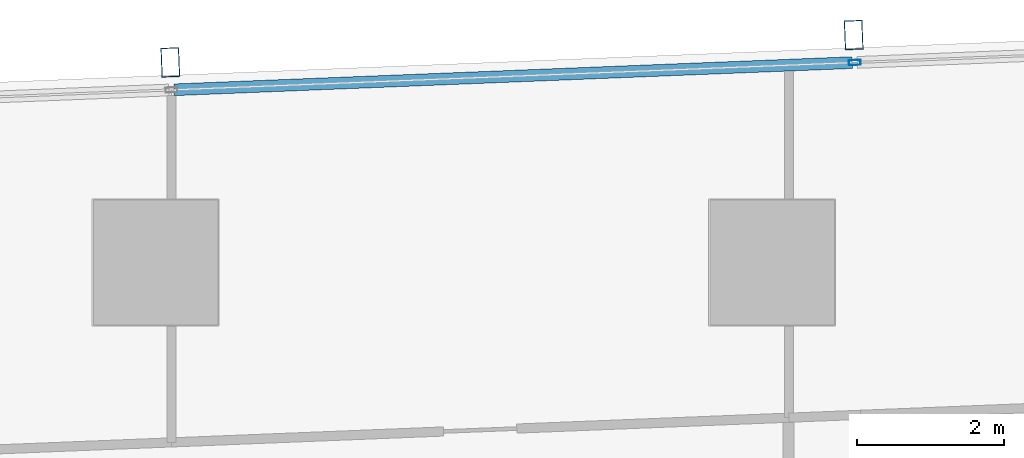
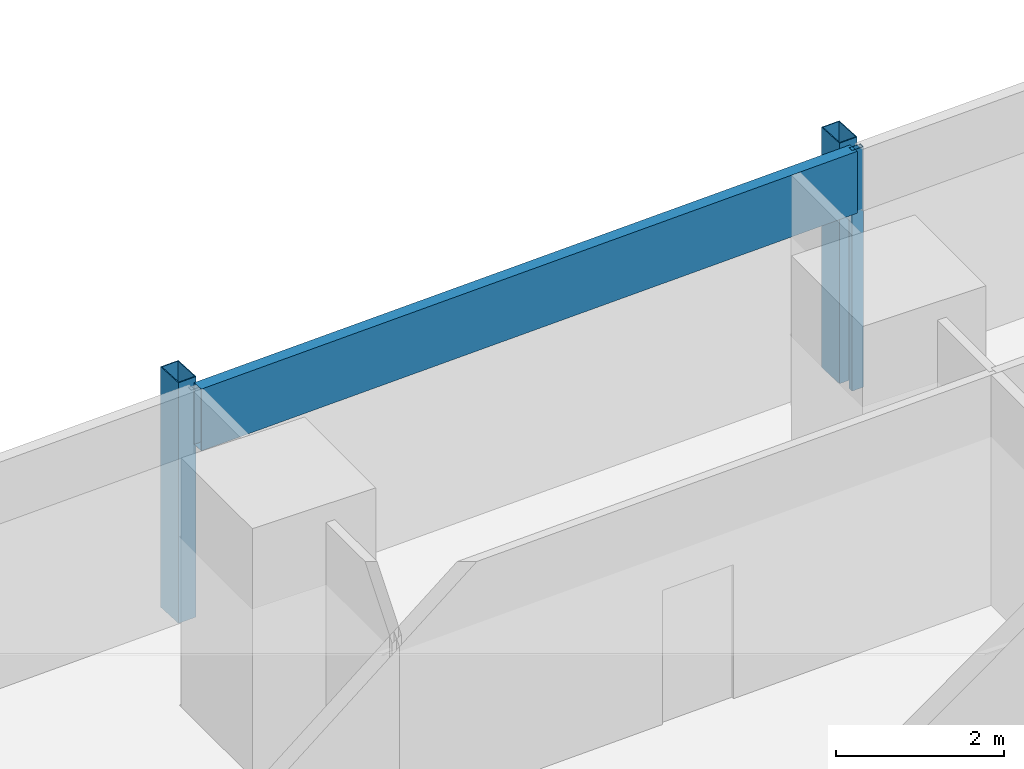
# One storey, part 17 of 40: 4 members, 1 element without a shape of its own.
"""IFC4 building model written with IfcOpenShell, lengths in metres."""

from ifc_helpers import new_model, si_unit, direction, frame, origin, origin_2d, place, context, subcontext, project, spatial, hollow_rectangle, extrude, material, material_profile, profile_set, type_object, element, aggregate, save


model = new_model("IFC4")

# Units and contexts
model_context = context("Model", 3, precision=1e-05, world=origin(), true_north=direction((0.0, 1.0)))
body_context = subcontext(model_context, "Body", "Model", "MODEL_VIEW")
ifc_project = project(units=[si_unit("LENGTHUNIT", "METRE"), si_unit("AREAUNIT", "SQUARE_METRE"), si_unit("VOLUMEUNIT", "CUBIC_METRE"), si_unit("PLANEANGLEUNIT", "RADIAN"), si_unit("MASSUNIT", "GRAM", prefix="KILO")], contexts=[model_context])

# Site, building, storey
site_placement = place(None, origin())
site = spatial("IfcSite", under=ifc_project, at=site_placement, CompositionType="ELEMENT")
building_placement = place(site_placement, origin())
building = spatial("IfcBuilding", under=site, at=building_placement, Name="Rekha Terrace Tower", CompositionType="ELEMENT")
storey_placement = place(building_placement, frame((0.0, 0.0, 117.800048828125)))
storey = spatial("IfcBuildingStorey", under=building, at=storey_placement, Name="L29", CompositionType="ELEMENT", Elevation=117.800048828125)

# Curtain wall, members
ifc_material_1 = material(Name="Aluminium framing", Category="aluminium")
curtain_wall_type = type_object("IfcCurtainWallType", Name="CW3 north unitised glazing", PredefinedType="USERDEFINED", material=ifc_material_1)
curtain_wall_placement = place(storey_placement, origin())
curtain_wall = element("IfcCurtainWall", 1, at=curtain_wall_placement, inside=storey, type_object=curtain_wall_type, Name="CW3 unitised curtain wall", ObjectType="UNITISED CURTAIN WALL", PredefinedType="USERDEFINED")
ifc_material_2 = material(Name="Steel S355 with fluorocarbon finish", Category="steel")
ifc_material_profile_1 = material_profile(ifc_material_2, hollow_rectangle(XDim=0.25, YDim=0.39990234375, WallThickness=0.012451171875, at=origin_2d()), Name="RHS400x250x12.5")
ifc_profile_set_1 = profile_set([ifc_material_profile_1], Name="Steel S355 with fluorocarbon finish")
member_type_1 = type_object("IfcMemberType", Name="BL1 facade blade RHS 400 x 250", PredefinedType="USERDEFINED", material=ifc_profile_set_1)
member_1_placement = place(storey_placement, frame((34.7109375, 61.9013671875, 0.0), z_axis=(0.0, 0.0, 1.0), x_axis=(-0.999198382632, -0.040032388711, 0.0)))
member_1 = element("IfcMember", 2, at=member_1_placement, type_object=member_type_1, Name="Facade blade", ObjectType="FACADE BLADE", PredefinedType="USERDEFINED", context=body_context, shape_type="SweptSolid", body=[
    extrude(hollow_rectangle(XDim=0.25, YDim=0.39990234375, WallThickness=0.012451171875, at=origin_2d()), origin(), (0.0, 0.0, 1.0), 3.5),
])
member_2_placement = place(storey_placement, frame((25.39892578125, 61.5283203125, 0.0), z_axis=(0.0, 0.0, 1.0), x_axis=(-0.999198382632, -0.040032388711, 0.0)))
member_2 = element("IfcMember", 3, at=member_2_placement, type_object=member_type_1, Name="Facade blade", ObjectType="FACADE BLADE", PredefinedType="USERDEFINED", context=body_context, shape_type="SweptSolid", body=[
    extrude(hollow_rectangle(XDim=0.25, YDim=0.39990234375, WallThickness=0.012451171875, at=origin_2d()), origin(), (0.0, 0.0, 1.0), 3.5),
])
ifc_material_3 = material(Name="Aluminium mullion section", Category="aluminium")
ifc_material_profile_2 = material_profile(ifc_material_3, hollow_rectangle(XDim=0.070068359375, YDim=0.159912109375, WallThickness=0.00390625, at=origin_2d()), Name="AL RHS 70x160")
ifc_profile_set_2 = profile_set([ifc_material_profile_2], Name="Aluminium mullion section")
member_type_2 = type_object("IfcMemberType", Name="CW3 mullion RHS 70 x 160", PredefinedType="MULLION", material=ifc_profile_set_2)
member_3_placement = place(storey_placement, frame((34.725830078125, 61.526611328125, 0.0), z_axis=(0.0, 0.0, 1.0), x_axis=(0.040031987119, -0.999198398721, 0.0)))
member_3 = element("IfcMember", 4, at=member_3_placement, type_object=member_type_2, Name="CW3 mullion 2", PredefinedType="MULLION", context=body_context, shape_type="SweptSolid", body=[
    extrude(hollow_rectangle(XDim=0.070068359375, YDim=0.159912109375, WallThickness=0.00390625, at=origin_2d()), origin(), (0.0, 0.0, 1.0), 3.5),
])
ifc_material_4 = material(Name="Insulated aluminium spandrel box", Category="aluminium")
ifc_material_profile_3 = material_profile(ifc_material_4, hollow_rectangle(XDim=0.159912109375, YDim=0.89990234375, WallThickness=0.0029296875, at=origin_2d()), Name="AL SPANDREL BOX 160x900")
ifc_profile_set_3 = profile_set([ifc_material_profile_3], Name="Insulated aluminium spandrel box")
member_type_3 = type_object("IfcMemberType", Name="CW3 spandrel transom 160 x 900", PredefinedType="USERDEFINED", material=ifc_profile_set_3)
member_4_placement = place(storey_placement, frame((34.69091796875, 61.525390625, 3.050048828125), z_axis=(-0.999198046754, -0.040040771263, 0.0), x_axis=(0.040040771263, -0.999198046754, 0.0)))
member_4 = element("IfcMember", 5, at=member_4_placement, type_object=member_type_3, Name="CW3 spandrel transom 2", ObjectType="TRANSOM", PredefinedType="USERDEFINED", context=body_context, shape_type="SweptSolid", body=[
    extrude(hollow_rectangle(XDim=0.159912109375, YDim=0.89990234375, WallThickness=0.0029296875, at=origin_2d()), origin(), (0.0, 0.0, 1.0), 9.24951171875),
])
aggregate(curtain_wall, [member_3, member_4, member_1, member_2])

save(model, "model.ifc")
